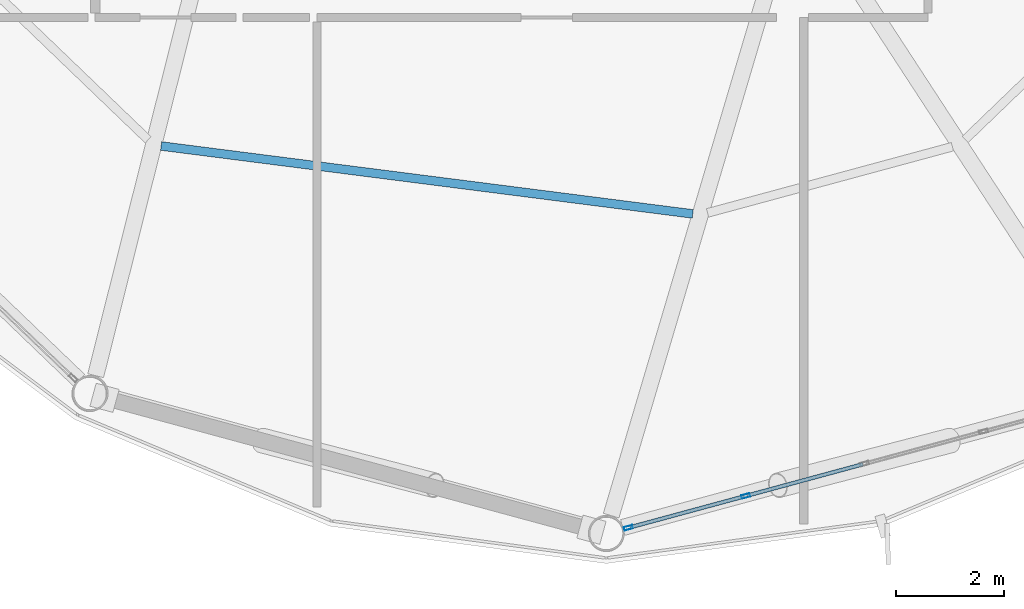
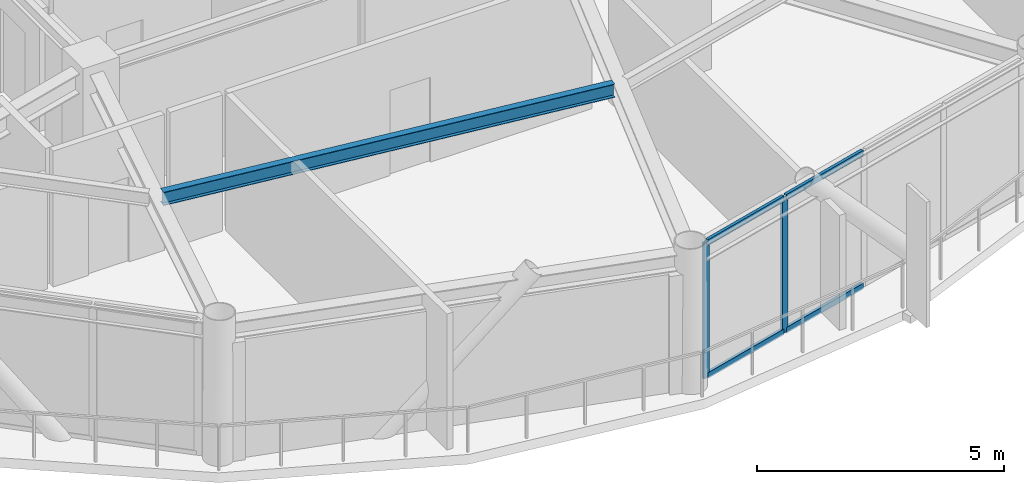
# One storey, part 7 of 28: 6 members, 1 beam, 1 element without a shape of its own.
"""IFC4 building model written with IfcOpenShell, lengths in metres."""

from ifc_helpers import new_model, si_unit, direction, frame, origin, origin_2d, place, context, subcontext, project, spatial, hollow_rectangle, i_section, extrude, material, layer, layer_set, material_profile, profile_set, type_object, element, aggregate, save


model = new_model("IFC4")

# Units and contexts
model_context = context("Model", 3, precision=1e-05, world=origin(), true_north=direction((0.0, 1.0)))
body_context = subcontext(model_context, "Body", "Model", "MODEL_VIEW")
ifc_project = project(units=[si_unit("LENGTHUNIT", "METRE"), si_unit("AREAUNIT", "SQUARE_METRE"), si_unit("VOLUMEUNIT", "CUBIC_METRE"), si_unit("PLANEANGLEUNIT", "RADIAN"), si_unit("MASSUNIT", "GRAM", prefix="KILO")], contexts=[model_context])

# Site, building, storey
site_placement = place(None, origin())
site = spatial("IfcSite", under=ifc_project, at=site_placement, CompositionType="ELEMENT")
building_placement = place(site_placement, origin())
building = spatial("IfcBuilding", under=site, at=building_placement, Name="Varnakorn Sky Granary", CompositionType="ELEMENT")
storey_placement = place(building_placement, frame((0.0, 0.0, 207.60009765625)))
storey = spatial("IfcBuildingStorey", under=building, at=storey_placement, Name="L52", CompositionType="ELEMENT", Elevation=207.60009765625)

# Beam
ifc_material_1 = material(Name="Steel S355JR", Category="steel")
ifc_material_profile_1 = material_profile(ifc_material_1, i_section(OverallWidth=0.159912109375, OverallDepth=0.330078125, WebThickness=0.007568359375, FlangeThickness=0.011474609375, at=origin_2d()), Name="IPE 330")
ifc_profile_set_1 = profile_set([ifc_material_profile_1], Name="Steel S355JR")
beam_type = type_object("IfcBeamType", Name="BM-SEC-Z4", PredefinedType="BEAM", material=ifc_profile_set_1)
beam_placement = place(storey_placement, frame((-3.381591796875, -11.275146484375, 3.19482421875), z_axis=(0.991937264496, -0.126729883232, 0.0), x_axis=(0.126729883232, 0.991937264496, 0.0)))
element("IfcBeam", 1, at=beam_placement, inside=storey, type_object=beam_type, Name="Secondary Floor Chord Beam MSB09 L52", PredefinedType="BEAM", context=body_context, shape_type="SweptSolid", body=[
    extrude(i_section(OverallWidth=0.159912109375, OverallDepth=0.330078125, WebThickness=0.007568359375, FlangeThickness=0.011474609375, at=origin_2d()), origin(), (0.0, 0.0, 1.0), 9.90966796875),
])

# Curtain wall, members
ifc_material_2 = material(Name="Anodised Bronze Aluminium Alloy 6063-T6", Category="aluminium")
ifc_layer = layer(ifc_material_2, 0.169921875, Name="Anodised Bronze Aluminium Alloy 6063-T6")
ifc_layer_set = layer_set([ifc_layer], Name="Anodised Bronze Aluminium Alloy 6063-T6")
curtain_wall_type = type_object("IfcCurtainWallType", Name="CW-LAB-1", PredefinedType="USERDEFINED", material=ifc_layer_set)
curtain_wall_placement = place(storey_placement, origin())
curtain_wall = element("IfcCurtainWall", 2, at=curtain_wall_placement, inside=storey, type_object=curtain_wall_type, Name="Unitised Curtain Wall CW5 CW-L52-B10", ObjectType="CURTAIN WALL", PredefinedType="USERDEFINED")
ifc_material_profile_2 = material_profile(ifc_material_2, hollow_rectangle(XDim=0.06494140625, YDim=0.159912109375, WallThickness=0.00341796875, at=origin_2d()), Name="ALU MULL 65x160")
ifc_profile_set_2 = profile_set([ifc_material_profile_2], Name="Anodised Bronze Aluminium Alloy 6063-T6")
member_type_1 = type_object("IfcMemberType", Name="CW-LAB-1-MULL", PredefinedType="MULLION", material=ifc_profile_set_2)
member_1_placement = place(storey_placement, frame((7.42626953125, -17.7470703125, 0.0), z_axis=(0.0, 0.0, 1.0), x_axis=(0.261502123426, -0.965202900661, 0.0)))
member_1 = element("IfcMember", 3, at=member_1_placement, type_object=member_type_1, Name="CW5 mullion 4", PredefinedType="MULLION", context=body_context, shape_type="SweptSolid", body=[
    extrude(hollow_rectangle(XDim=0.06494140625, YDim=0.159912109375, WallThickness=0.00341796875, at=origin_2d()), origin(), (0.0, 0.0, 1.0), 3.35986328125),
])
member_2_placement = place(storey_placement, frame((5.2578125, -18.33447265625, 0.0), z_axis=(0.0, 0.0, 1.0), x_axis=(0.261502123426, -0.965202900661, 0.0)))
member_2 = element("IfcMember", 4, at=member_2_placement, type_object=member_type_1, Name="CW5 mullion 5", PredefinedType="MULLION", context=body_context, shape_type="SweptSolid", body=[
    extrude(hollow_rectangle(XDim=0.06494140625, YDim=0.159912109375, WallThickness=0.00341796875, at=origin_2d()), origin(), (0.0, 0.0, 1.0), 3.35986328125),
])
ifc_material_profile_3 = material_profile(ifc_material_2, hollow_rectangle(XDim=0.070068359375, YDim=0.139892578125, WallThickness=0.00341796875, at=origin_2d()), Name="ALU TRAN 70x140")
ifc_profile_set_3 = profile_set([ifc_material_profile_3], Name="Anodised Bronze Aluminium Alloy 6063-T6")
member_type_2 = type_object("IfcMemberType", Name="CW-LAB-1-TRAN", PredefinedType="USERDEFINED", material=ifc_profile_set_3)
member_3_placement = place(storey_placement, frame((9.594970703125, -17.159423828125, 0.034912109375), z_axis=(-0.965195066644, -0.261531037021, 0.0), x_axis=(0.261531037021, -0.965195066644, 0.0)))
member_3 = element("IfcMember", 5, at=member_3_placement, type_object=member_type_2, Name="CW5 transom 3.1", ObjectType="TRANSOM", PredefinedType="USERDEFINED", context=body_context, shape_type="SweptSolid", body=[
    extrude(hollow_rectangle(XDim=0.070068359375, YDim=0.139892578125, WallThickness=0.00341796875, at=origin_2d()), origin(), (0.0, 0.0, 1.0), 2.21435546875),
])
member_4_placement = place(storey_placement, frame((9.594970703125, -17.159423828125, 3.324951171875), z_axis=(-0.965195066644, -0.261531037021, 0.0), x_axis=(0.261531037021, -0.965195066644, 0.0)))
member_4 = element("IfcMember", 6, at=member_4_placement, type_object=member_type_2, Name="CW5 transom 3.2", ObjectType="TRANSOM", PredefinedType="USERDEFINED", context=body_context, shape_type="SweptSolid", body=[
    extrude(hollow_rectangle(XDim=0.070068359375, YDim=0.139892578125, WallThickness=0.00341796875, at=origin_2d()), origin(), (0.0, 0.0, 1.0), 2.21435546875),
])
member_5_placement = place(storey_placement, frame((7.39501953125, -17.75537109375, 0.034912109375), z_axis=(-0.965204016592, -0.261498004495, 0.0), x_axis=(0.261498004495, -0.965204016592, 0.0)))
member_5 = element("IfcMember", 7, at=member_5_placement, type_object=member_type_2, Name="CW5 transom 4.1", ObjectType="TRANSOM", PredefinedType="USERDEFINED", context=body_context, shape_type="SweptSolid", body=[
    extrude(hollow_rectangle(XDim=0.070068359375, YDim=0.139892578125, WallThickness=0.00341796875, at=origin_2d()), origin(), (0.0, 0.0, 1.0), 2.181884765625),
])
member_6_placement = place(storey_placement, frame((7.39501953125, -17.75537109375, 3.324951171875), z_axis=(-0.965204016592, -0.261498004495, 0.0), x_axis=(0.261498004495, -0.965204016592, 0.0)))
member_6 = element("IfcMember", 8, at=member_6_placement, type_object=member_type_2, Name="CW5 transom 4.2", ObjectType="TRANSOM", PredefinedType="USERDEFINED", context=body_context, shape_type="SweptSolid", body=[
    extrude(hollow_rectangle(XDim=0.070068359375, YDim=0.139892578125, WallThickness=0.00341796875, at=origin_2d()), origin(), (0.0, 0.0, 1.0), 2.181884765625),
])
aggregate(curtain_wall, [member_1, member_2, member_3, member_4, member_5, member_6])

save(model, "model.ifc")
